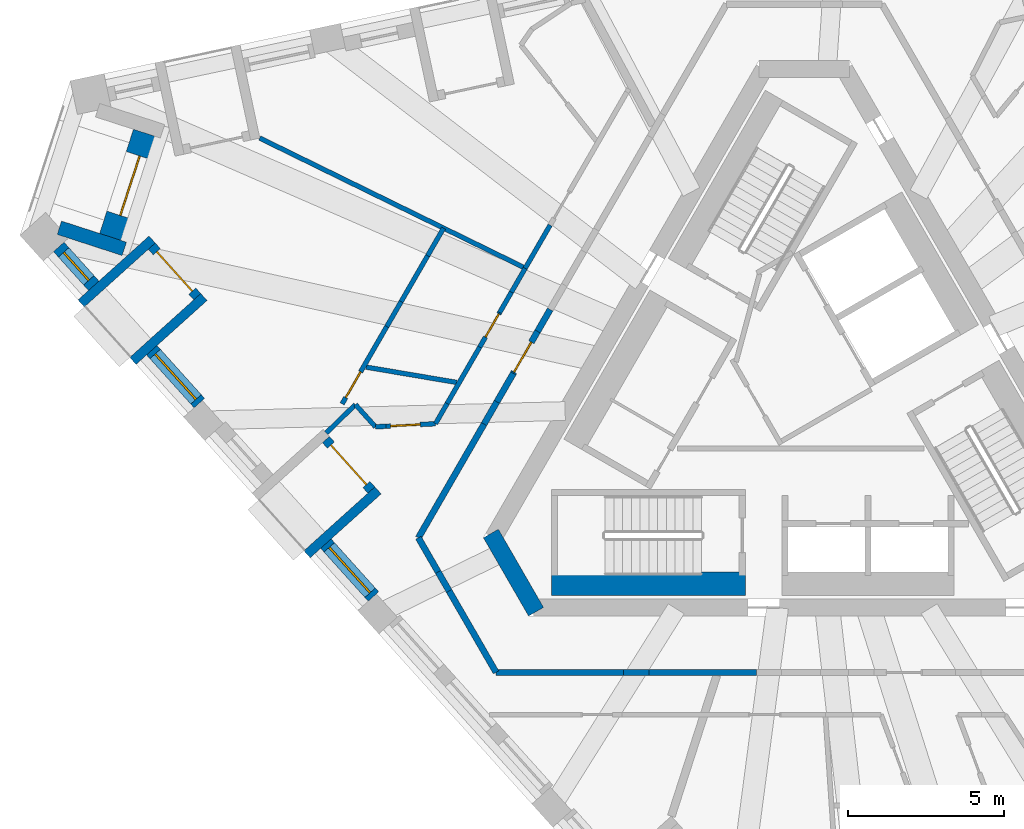
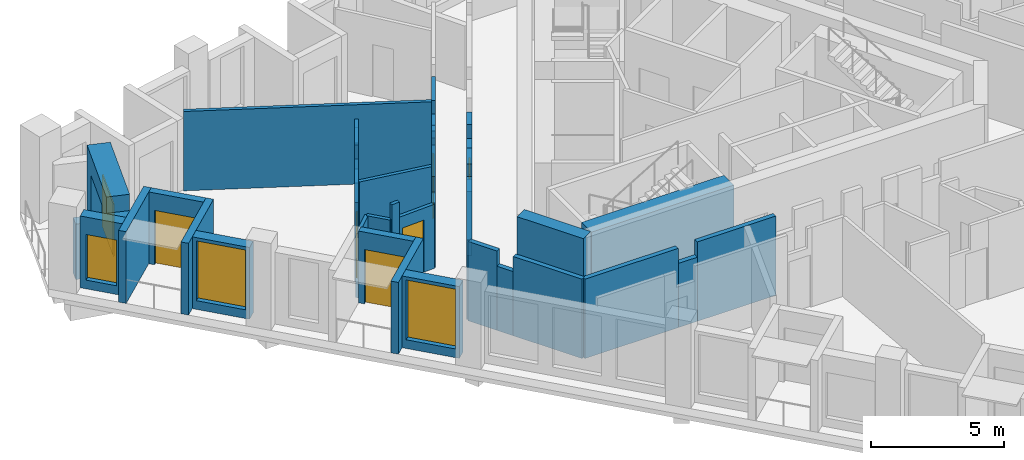
# One storey, part 3 of 12: 39 walls, 7 doors, 3 windows, 10 openings.
"""IFC4 building model written with IfcOpenShell, lengths in metres."""

from ifc_helpers import new_model, si_unit, direction, frame, frame_2d, origin, place, context, subcontext, project, spatial, polyline, rectangle, outline, extrude, material, layer, layer_set, type_object, element, fill, save


model = new_model("IFC4")

# Units and contexts
model_context = context("Model", 3, precision=1e-05, world=origin(), true_north=direction((0.0, 1.0)))
body_context = subcontext(model_context, "Body", "Model", "MODEL_VIEW")
ifc_project = project(units=[si_unit("LENGTHUNIT", "METRE"), si_unit("AREAUNIT", "SQUARE_METRE"), si_unit("VOLUMEUNIT", "CUBIC_METRE"), si_unit("PLANEANGLEUNIT", "RADIAN"), si_unit("MASSUNIT", "GRAM", prefix="KILO")], contexts=[model_context])

# Site, building, storey
site_placement = place(None, origin())
site = spatial("IfcSite", under=ifc_project, at=site_placement, CompositionType="ELEMENT")
building_placement = place(site_placement, origin())
building = spatial("IfcBuilding", under=site, at=building_placement, Name="Tramontana Tower", CompositionType="ELEMENT")
storey_placement = place(building_placement, frame((0.0, 0.0, 332.39990234375)))
storey = spatial("IfcBuildingStorey", under=building, at=storey_placement, Name="L76", CompositionType="ELEMENT", Elevation=332.39990234375)

# Walls
ifc_material_1 = material(Name="Concrete 70 MPa", Category="concrete")
ifc_layer_1 = layer(ifc_material_1, 0.550048828125)
ifc_layer_set_1 = layer_set([ifc_layer_1], Name="Core wall 550 70 MPa")
wall_type_1 = type_object("IfcWallType", Name="Core wall 550 70 MPa", PredefinedType="SHEAR", material=ifc_layer_set_1)
wall_1_placement = place(storey_placement, frame((-10.009765625, -4.112548828125, 0.0), z_axis=(0.0, 0.0, 1.0), x_axis=(0.499995765644, -0.866027848477, 0.0)))
element("IfcWall", 1, at=wall_1_placement, inside=storey, type_object=wall_type_1, Name="Core wall C2 L76", PredefinedType="SHEAR", context=body_context, shape_type="SweptSolid", body=[
    extrude(rectangle(XDim=2.88671875, YDim=0.550048828125, at=frame_2d((1.443359375, 0.0))), origin(), (0.0, 0.0, 1.0), 4.0),
])
ifc_material_2 = material(Name="Blockwork", Category="masonry")
ifc_layer_2 = layer(ifc_material_2, 0.199951171875)
ifc_layer_set_2 = layer_set([ifc_layer_2], Name="ENTRY WALL 200")
wall_type_2 = type_object("IfcWallType", Name="ENTRY WALL 200", PredefinedType="SOLIDWALL", material=ifc_layer_set_2)
wall_2_placement = place(storey_placement, frame((-1.528564453125, -8.550048828125, 0.0), z_axis=(0.0, 0.0, 1.0), x_axis=(-1.0, 0.0, 0.0)))
element("IfcWall", 2, at=wall_2_placement, inside=storey, type_object=wall_type_2, Name="Wall v81-ew1-8", PredefinedType="SOLIDWALL", context=body_context, shape_type="SweptSolid", body=[
    extrude(rectangle(XDim=3.423095703125, YDim=0.199951171875, at=frame_2d((1.71142578125, 0.0))), origin(), (0.0, 0.0, 1.0), 3.650146484375),
])
wall_3_placement = place(storey_placement, frame((-4.95166015625, -8.550048828125, 0.0), z_axis=(0.0, 0.0, 1.0), x_axis=(-1.0, 0.0, 0.0)))
element("IfcWall", 3, at=wall_3_placement, inside=storey, type_object=wall_type_2, Name="Wall v81-ew1-9", PredefinedType="SOLIDWALL", context=body_context, shape_type="SweptSolid", body=[
    extrude(rectangle(XDim=0.826416015625, YDim=0.199951171875, at=frame_2d((0.4130859375, 0.0))), origin(), (0.0, 0.0, 1.0), 2.9501953125),
])
wall_4_placement = place(storey_placement, frame((-5.778076171875, -8.550048828125, 0.0), z_axis=(0.0, 0.0, 1.0), x_axis=(-1.0, 0.0, 0.0)))
element("IfcWall", 4, at=wall_4_placement, inside=storey, type_object=wall_type_2, Name="Wall v81-ew1-10", PredefinedType="SOLIDWALL", context=body_context, shape_type="SweptSolid", body=[
    extrude(rectangle(XDim=4.065673828125, YDim=0.199951171875, at=frame_2d((2.03271484375, 0.0))), origin(), (0.0, 0.0, 1.0), 3.650146484375),
])
wall_5_placement = place(storey_placement, frame((-9.84375, -8.550048828125, 0.0), z_axis=(0.0, 0.0, 1.0), x_axis=(-0.500003959331, 0.866023117852, 0.0)))
element("IfcWall", 5, at=wall_5_placement, inside=storey, type_object=wall_type_2, Name="Wall v81-ew2-0", PredefinedType="SOLIDWALL", context=body_context, shape_type="SweptSolid", body=[
    extrude(rectangle(XDim=3.0029296875, YDim=0.199951171875, at=frame_2d((1.50146484375, 0.0))), origin(), (0.0, 0.0, 1.0), 3.650146484375),
])
wall_6_placement = place(storey_placement, frame((-11.34521484375, -5.949462890625, 0.0), z_axis=(0.0, 0.0, 1.0), x_axis=(-0.499993523031, 0.866029143232, 0.0)))
element("IfcWall", 6, at=wall_6_placement, inside=storey, type_object=wall_type_2, Name="Wall v81-ew2-1", PredefinedType="SOLIDWALL", context=body_context, shape_type="SweptSolid", body=[
    extrude(rectangle(XDim=0.70166015625, YDim=0.199951171875, at=frame_2d((0.350830078125, 0.0))), origin(), (0.0, 0.0, 1.0), 2.9501953125),
])
wall_7_placement = place(storey_placement, frame((-11.696044921875, -5.341796875, 0.0), z_axis=(0.0, 0.0, 1.0), x_axis=(-0.500013012896, 0.866017890655, 0.0)))
element("IfcWall", 7, at=wall_7_placement, inside=storey, type_object=wall_type_2, Name="Wall v81-ew2-2", PredefinedType="SOLIDWALL", context=body_context, shape_type="SweptSolid", body=[
    extrude(rectangle(XDim=1.2607421875, YDim=0.199951171875, at=frame_2d((0.63037109375, 0.0))), origin(), (0.0, 0.0, 1.0), 3.650146484375),
])
wall_8_placement = place(storey_placement, frame((-12.326416015625, -4.25, 0.0), z_axis=(0.0, 0.0, 1.0), x_axis=(0.499982771656, 0.866035350345, 0.0)))
element("IfcWall", 8, at=wall_8_placement, inside=storey, type_object=wall_type_2, Name="Wall v81-ew3-0", PredefinedType="SOLIDWALL", context=body_context, shape_type="SweptSolid", body=[
    extrude(rectangle(XDim=4.194580078125, YDim=0.199951171875, at=frame_2d((2.09716796875, 0.0))), origin(), (0.0, 0.0, 1.0), 3.650146484375),
])
wall_9_placement = place(storey_placement, frame((-10.229248046875, -0.617431640625, 0.0), z_axis=(0.0, 0.0, 1.0), x_axis=(0.5001686003, 0.865928040471, 0.0)))
element("IfcWall", 9, at=wall_9_placement, inside=storey, type_object=wall_type_2, Name="Wall v81-ew3-1", PredefinedType="SOLIDWALL", context=body_context, shape_type="SweptSolid", body=[
    extrude(rectangle(XDim=0.821044921875, YDim=0.199951171875, at=frame_2d((0.41064453125, 0.0))), origin(), (0.0, 0.0, 1.0), 2.9501953125),
])
wall_10_placement = place(storey_placement, frame((-9.818603515625, 0.093505859375, 0.0), z_axis=(0.0, 0.0, 1.0), x_axis=(0.499890179513, 0.866088799389, 0.0)))
element("IfcWall", 10, at=wall_10_placement, inside=storey, type_object=wall_type_2, Name="Wall v81-ew3-2", PredefinedType="SOLIDWALL", context=body_context, shape_type="SweptSolid", body=[
    extrude(rectangle(XDim=1.050048828125, YDim=0.199951171875, at=frame_2d((0.52490234375, 0.0))), origin(), (0.0, 0.0, 1.0), 3.650146484375),
])

# Wall, opening, door
wall_11_placement = place(storey_placement, frame((-9.293701171875, 1.0029296875, 0.0), z_axis=(0.0, 0.0, 1.0), x_axis=(0.500054401891, 0.86599399256, 0.0)))
wall_11 = element("IfcWall", 11, at=wall_11_placement, inside=storey, type_object=wall_type_2, Name="Wall v81-ew3-3", PredefinedType="SOLIDWALL", context=body_context, shape_type="SweptSolid", body=[
    extrude(outline(polyline([(0.0, 0.0), (1.549072265625, 0.0), (1.549072265625, 2.550048828125), (0.605224609375, 2.550048828125), (0.605224609375, 3.650146484375), (0.0, 3.650146484375), (0.0, 0.0)])), frame((0.0, 0.10009765625, 0.0), z_axis=(0.0, -1.0, 0.0), x_axis=(1.0, 0.0, 0.0)), (0.0, 0.0, 1.0), 0.199951171875),
])
opening_1_placement = place(wall_11_placement, frame((0.050048828125, 0.0, 0.0)))
opening_1 = element("IfcOpeningElement", 12, at=opening_1_placement, cuts=wall_11, Name="Opening B8B-16", PredefinedType="OPENING", context=body_context, shape_type="SweptSolid", body=[
    extrude(rectangle(XDim=1.10009765625, YDim=2.39990234375, at=frame_2d((0.550048828125, 1.199951171875))), frame((0.0, 0.10986328125, 0.0), z_axis=(0.0, -1.0, 0.0), x_axis=(1.0, 0.0, 0.0)), (0.0, 0.0, 1.0), 0.219970703125),
])
ifc_material_3 = material(Name="Painted timber", Category="wood")
door_type_1 = type_object("IfcDoorType", Name="DOOR ENTRY 1100", OperationType="SINGLE_SWING_LEFT", PredefinedType="DOOR", material=ifc_material_3)
door_1_placement = place(opening_1_placement, origin())
door_1 = element("IfcDoor", 13, at=door_1_placement, inside=storey, type_object=door_type_1, Name="Door B8B-16", OperationType="SINGLE_SWING_RIGHT", OverallHeight=2.39990234375, OverallWidth=1.10009765625, PredefinedType="DOOR", context=body_context, shape_type="SweptSolid", body=[
    extrude(rectangle(XDim=1.10009765625, YDim=2.39990234375, at=frame_2d((0.550048828125, 1.199951171875))), frame((0.0, 0.02490234375, 0.0), z_axis=(0.0, -1.0, 0.0), x_axis=(1.0, 0.0, 0.0)), (0.0, 0.0, 1.0), 0.050048828125),
])
fill(opening_1, door_1)

# Wall
wall_12_placement = place(storey_placement, frame((-8.51904296875, 2.344482421875, 0.0), z_axis=(0.0, 0.0, 1.0), x_axis=(0.499914554297, 0.866074730264, 0.0)))
element("IfcWall", 14, at=wall_12_placement, inside=storey, type_object=wall_type_2, Name="Wall v81-ew3-4", PredefinedType="SOLIDWALL", context=body_context, shape_type="SweptSolid", body=[
    extrude(rectangle(XDim=0.806884765625, YDim=0.199951171875, at=frame_2d((0.4033203125, 0.0))), origin(), (0.0, 0.0, 1.0), 3.650146484375),
])

# Wall, opening, window
ifc_material_4 = material(Name="Precast concrete 60 MPa", Category="concrete")
ifc_layer_3 = layer(ifc_material_4, 0.449951171875)
ifc_layer_set_3 = layer_set([ifc_layer_3], Name="Precast concrete 60 MPa, 450 mm")
wall_type_3 = type_object("IfcWallType", Name="EW1 Stone-faced precast wall 450", PredefinedType="SOLIDWALL", material=ifc_layer_set_3)
wall_13_placement = place(storey_placement, frame((-23.817138671875, 5.043212890625, 0.0), z_axis=(0.0, 0.0, 1.0), x_axis=(0.669182609054, -0.743097998746, 0.0)))
wall_13 = element("IfcWall", 15, at=wall_13_placement, inside=storey, type_object=wall_type_3, Name="External wall L76 face 0 bay 1", PredefinedType="SOLIDWALL", context=body_context, shape_type="SweptSolid", body=[
    extrude(rectangle(XDim=1.67138671875, YDim=0.449951171875, at=frame_2d((0.835693359375, 0.0))), origin(), (0.0, 0.0, 1.0), 3.300048828125),
])
opening_2_placement = place(wall_13_placement, frame((0.235595703125, 0.0, 0.39990234375)))
opening_2 = element("IfcOpeningElement", 16, at=opening_2_placement, cuts=wall_13, Name="Opening N3L", PredefinedType="OPENING", context=body_context, shape_type="SweptSolid", body=[
    extrude(rectangle(XDim=1.199951171875, YDim=2.10009765625, at=frame_2d((0.60009765625, 1.050048828125))), frame((0.0, 0.23486328125, 0.0), z_axis=(0.0, -1.0, 0.0), x_axis=(1.0, 0.0, 0.0)), (0.0, 0.0, 1.0), 0.469970703125),
])
ifc_material_5 = material(Name="Aluminum frame, double glazing unit", Category="aluminium")
window_type_1 = type_object("IfcWindowType", Name="N3L Window 1.2 x 2.1", PartitioningType="SINGLE_PANEL", PredefinedType="WINDOW", material=ifc_material_5)
window_1_placement = place(opening_2_placement, origin())
window_1 = element("IfcWindow", 17, at=window_1_placement, inside=storey, type_object=window_type_1, Name="Window N3L L76 face 0 module 1", OverallHeight=2.10009765625, OverallWidth=1.199951171875, PartitioningType="SINGLE_PANEL", PredefinedType="WINDOW", context=body_context, shape_type="SweptSolid", body=[
    extrude(rectangle(XDim=1.199951171875, YDim=2.10009765625, at=frame_2d((0.60009765625, 1.050048828125))), frame((0.0, 0.030029296875, 0.0), z_axis=(0.0, -1.0, 0.0), x_axis=(1.0, 0.0, 0.0)), (0.0, 0.0, 1.0), 0.06005859375),
])
fill(opening_2, window_1)

wall_14_placement = place(storey_placement, frame((-20.844482421875, 1.74169921875, 0.0), z_axis=(0.0, 0.0, 1.0), x_axis=(0.669160694992, -0.743117732447, 0.0)))
wall_14 = element("IfcWall", 18, at=wall_14_placement, inside=storey, type_object=wall_type_3, Name="External wall L76 face 0 bay 1", PredefinedType="SOLIDWALL", context=body_context, shape_type="SweptSolid", body=[
    extrude(rectangle(XDim=2.271240234375, YDim=0.449951171875, at=frame_2d((1.1357421875, 0.0))), origin(), (0.0, 0.0, 1.0), 3.300048828125),
])
opening_3_placement = place(wall_14_placement, frame((0.16064453125, 0.0, 0.39990234375)))
opening_3 = element("IfcOpeningElement", 19, at=opening_3_placement, cuts=wall_14, Name="Opening M3", PredefinedType="OPENING", context=body_context, shape_type="SweptSolid", body=[
    extrude(rectangle(XDim=1.949951171875, YDim=2.75, at=frame_2d((0.97509765625, 1.375))), frame((0.0, 0.23486328125, 0.0), z_axis=(0.0, -1.0, 0.0), x_axis=(1.0, 0.0, 0.0)), (0.0, 0.0, 1.0), 0.469970703125),
])
ifc_material_6 = material(Name="Aluminum frame, double glazing unit", Category="aluminium")
window_type_2 = type_object("IfcWindowType", Name="M3 Window 1.95 x 2.75", PartitioningType="SINGLE_PANEL", PredefinedType="WINDOW", material=ifc_material_6)
window_2_placement = place(opening_3_placement, origin())
window_2 = element("IfcWindow", 20, at=window_2_placement, inside=storey, type_object=window_type_2, Name="Window M3 L76 face 0 module 3", OverallHeight=2.75, OverallWidth=1.949951171875, PartitioningType="SINGLE_PANEL", PredefinedType="WINDOW", context=body_context, shape_type="SweptSolid", body=[
    extrude(rectangle(XDim=1.949951171875, YDim=2.75, at=frame_2d((0.97509765625, 1.375))), frame((0.0, 0.030029296875, 0.0), z_axis=(0.0, -1.0, 0.0), x_axis=(1.0, 0.0, 0.0)), (0.0, 0.0, 1.0), 0.06005859375),
])
fill(opening_3, window_2)

wall_15_placement = place(storey_placement, frame((-15.281494140625, -4.4365234375, 0.0), z_axis=(0.0, 0.0, 1.0), x_axis=(0.669107243666, -0.743165860676, 0.0)))
wall_15 = element("IfcWall", 21, at=wall_15_placement, inside=storey, type_object=wall_type_3, Name="External wall L76 face 0 bay 2", PredefinedType="SOLIDWALL", context=body_context, shape_type="SweptSolid", body=[
    extrude(rectangle(XDim=2.271240234375, YDim=0.449951171875, at=frame_2d((1.1357421875, 0.0))), origin(), (0.0, 0.0, 1.0), 3.300048828125),
])
opening_4_placement = place(wall_15_placement, frame((0.16064453125, 0.0, 0.39990234375)))
opening_4 = element("IfcOpeningElement", 22, at=opening_4_placement, cuts=wall_15, Name="Opening M3", PredefinedType="OPENING", context=body_context, shape_type="SweptSolid", body=[
    extrude(rectangle(XDim=1.949951171875, YDim=2.75, at=frame_2d((0.97509765625, 1.375))), frame((0.0, 0.23486328125, 0.0), z_axis=(0.0, -1.0, 0.0), x_axis=(1.0, 0.0, 0.0)), (0.0, 0.0, 1.0), 0.469970703125),
])
window_3_placement = place(opening_4_placement, origin())
window_3 = element("IfcWindow", 23, at=window_3_placement, inside=storey, type_object=window_type_2, Name="Window M3 L76 face 0 module 6", OverallHeight=2.75, OverallWidth=1.949951171875, PartitioningType="SINGLE_PANEL", PredefinedType="WINDOW", context=body_context, shape_type="SweptSolid", body=[
    extrude(rectangle(XDim=1.949951171875, YDim=2.75, at=frame_2d((0.97509765625, 1.375))), frame((0.0, 0.030029296875, 0.0), z_axis=(0.0, -1.0, 0.0), x_axis=(1.0, 0.0, 0.0)), (0.0, 0.0, 1.0), 0.06005859375),
])
fill(opening_4, window_3)

# Wall
wall_16_placement = place(storey_placement, frame((-23.79638671875, 5.6552734375, 0.0), z_axis=(0.0, 0.0, 1.0), x_axis=(0.951064526973, -0.308992338955, 0.0)))
element("IfcWall", 24, at=wall_16_placement, inside=storey, type_object=wall_type_3, Name="Corner loggia side wall L76 K80l", PredefinedType="SOLIDWALL", context=body_context, shape_type="SweptSolid", body=[
    extrude(rectangle(XDim=2.17919921875, YDim=0.449951171875, at=frame_2d((1.089599609375, 0.0))), origin(), (0.0, 0.0, 1.0), 2.550048828125),
])

# Wall, opening, door
ifc_material_7 = material(Name="Precast concrete 60 MPa", Category="concrete")
ifc_layer_4 = layer(ifc_material_7, 0.89990234375)
ifc_layer_set_4 = layer_set([ifc_layer_4], Name="EW2 Stone-faced corner loggia wall 900")
wall_type_4 = type_object("IfcWallType", Name="EW2 Stone-faced corner loggia wall 900", PredefinedType="SOLIDWALL", material=ifc_layer_set_4)
wall_17_placement = place(storey_placement, frame((-22.082275390625, 5.3349609375, 0.0), z_axis=(0.0, 0.0, 1.0), x_axis=(0.309019824916, 0.951055596592, 0.0)))
wall_17 = element("IfcWall", 25, at=wall_17_placement, inside=storey, type_object=wall_type_4, Name="Corner loggia wall L76 K80", PredefinedType="SOLIDWALL", context=body_context, shape_type="SweptSolid", body=[
    extrude(rectangle(XDim=3.5, YDim=0.89990234375, at=frame_2d((1.75, 0.0))), origin(), (0.0, 0.0, 1.0), 3.300048828125),
])
opening_5_placement = place(wall_17_placement, frame((0.75, 0.0, 0.0)))
opening_5 = element("IfcOpeningElement", 26, at=opening_5_placement, cuts=wall_17, Name="Opening BD-80C", PredefinedType="OPENING", context=body_context, shape_type="SweptSolid", body=[
    extrude(rectangle(XDim=2.0, YDim=2.39990234375, at=frame_2d((1.0, 1.199951171875))), frame((0.0, 0.4599609375, 0.0), z_axis=(0.0, -1.0, 0.0), x_axis=(1.0, 0.0, 0.0)), (0.0, 0.0, 1.0), 0.919921875),
])
ifc_material_8 = material(Name="Aluminum frame, double glazing unit", Category="aluminium")
door_type_2 = type_object("IfcDoorType", Name="BC1 Sliding door 2 x 2.4", OperationType="SLIDING_TO_LEFT", PredefinedType="DOOR", material=ifc_material_8)
door_2_placement = place(opening_5_placement, origin())
door_2 = element("IfcDoor", 27, at=door_2_placement, inside=storey, type_object=door_type_2, Name="Corner loggia door L76 K80", OperationType="SLIDING_TO_LEFT", OverallHeight=2.39990234375, OverallWidth=2.0, PredefinedType="DOOR", context=body_context, shape_type="SweptSolid", body=[
    extrude(rectangle(XDim=2.0, YDim=2.39990234375, at=frame_2d((1.0, 1.199951171875))), frame((0.0, 0.02490234375, 0.0), z_axis=(0.0, -1.0, 0.0), x_axis=(1.0, 0.0, 0.0)), (0.0, 0.0, 1.0), 0.050048828125),
])
fill(opening_5, door_2)

ifc_material_9 = material(Name="Precast concrete 60 MPa", Category="concrete")
ifc_layer_5 = layer(ifc_material_9, 0.300048828125)
ifc_layer_set_5 = layer_set([ifc_layer_5], Name="LW1 Stone-faced loggia wall 300")
wall_type_5 = type_object("IfcWallType", Name="LW1 Stone-faced loggia wall 300", PredefinedType="SOLIDWALL", material=ifc_layer_set_5)
wall_18_placement = place(storey_placement, frame((-20.844482421875, 5.067138671875, 0.0), z_axis=(0.0, 0.0, 1.0), x_axis=(0.669144868344, -0.743131983681, 0.0)))
wall_18 = element("IfcWall", 28, at=wall_18_placement, inside=storey, type_object=wall_type_5, Name="Loggia wall L76 G8S0.1", PredefinedType="SOLIDWALL", context=body_context, shape_type="SweptSolid", body=[
    extrude(rectangle(XDim=2.171142578125, YDim=0.300048828125, at=frame_2d((1.08544921875, 0.0))), origin(), (0.0, 0.0, 1.0), 3.300048828125),
])
opening_6_placement = place(wall_18_placement, frame((0.235595703125, 0.0, 0.0)))
opening_6 = element("IfcOpeningElement", 29, at=opening_6_placement, cuts=wall_18, Name="Opening BD-8S0-01", PredefinedType="OPENING", context=body_context, shape_type="SweptSolid", body=[
    extrude(rectangle(XDim=1.699951171875, YDim=2.5, at=frame_2d((0.85009765625, 1.25))), frame((0.0, 0.159912109375, 0.0), z_axis=(0.0, -1.0, 0.0), x_axis=(1.0, 0.0, 0.0)), (0.0, 0.0, 1.0), 0.320068359375),
])
ifc_material_10 = material(Name="Aluminum frame, double glazing unit", Category="aluminium")
door_type_3 = type_object("IfcDoorType", Name="BD3 Sliding door 1.7 x 2.5", OperationType="SLIDING_TO_LEFT", PredefinedType="DOOR", material=ifc_material_10)
door_3_placement = place(opening_6_placement, origin())
door_3 = element("IfcDoor", 30, at=door_3_placement, inside=storey, type_object=door_type_3, Name="Loggia door L76 G8S0.1", OperationType="SLIDING_TO_LEFT", OverallHeight=2.5, OverallWidth=1.699951171875, PredefinedType="DOOR", context=body_context, shape_type="SweptSolid", body=[
    extrude(rectangle(XDim=1.699951171875, YDim=2.5, at=frame_2d((0.85009765625, 1.25))), frame((0.0, 0.02490234375, 0.0), z_axis=(0.0, -1.0, 0.0), x_axis=(1.0, 0.0, 0.0)), (0.0, 0.0, 1.0), 0.050048828125),
])
fill(opening_6, door_3)

# Walls
for number, where, z_axis, x_axis, name in (
    (31, (-23.10009765625, 3.238037109375, 0.0), (0.0, 0.0, 1.0), (0.743158802514, 0.669115082961, 0.0), "Loggia return L76 G8S0.1a"),
    (32, (-21.446533203125, 1.401611328125, 0.0), (0.0, 0.0, 1.0), (0.743158802514, 0.669115082961, 0.0), "Loggia return L76 G8S0.1b"),
):
    element("IfcWall", number, at=place(storey_placement, frame(where, z_axis=z_axis, x_axis=x_axis)), inside=storey, type_object=wall_type_5, Name=name, PredefinedType="SOLIDWALL", context=body_context, shape_type="SweptSolid", body=[
        extrude(rectangle(XDim=3.050048828125, YDim=0.300048828125, at=frame_2d((1.52490234375, 0.0))), origin(), (0.0, 0.0, 1.0), 3.300048828125),
    ])

# Wall, opening, door
wall_19_placement = place(storey_placement, frame((-15.281494140625, -1.111328125, 0.0), z_axis=(0.0, 0.0, 1.0), x_axis=(0.669144868344, -0.743131983681, 0.0)))
wall_19 = element("IfcWall", 33, at=wall_19_placement, inside=storey, type_object=wall_type_5, Name="Loggia wall L76 G8S0.4", PredefinedType="SOLIDWALL", context=body_context, shape_type="SweptSolid", body=[
    extrude(rectangle(XDim=2.171142578125, YDim=0.300048828125, at=frame_2d((1.08544921875, 0.0))), origin(), (0.0, 0.0, 1.0), 3.300048828125),
])
opening_7_placement = place(wall_19_placement, frame((0.235595703125, 0.0, 0.0)))
opening_7 = element("IfcOpeningElement", 34, at=opening_7_placement, cuts=wall_19, Name="Opening BD-8S0-04", PredefinedType="OPENING", context=body_context, shape_type="SweptSolid", body=[
    extrude(rectangle(XDim=1.699951171875, YDim=2.5, at=frame_2d((0.85009765625, 1.25))), frame((0.0, 0.159912109375, 0.0), z_axis=(0.0, -1.0, 0.0), x_axis=(1.0, 0.0, 0.0)), (0.0, 0.0, 1.0), 0.320068359375),
])
door_4_placement = place(opening_7_placement, origin())
door_4 = element("IfcDoor", 35, at=door_4_placement, inside=storey, type_object=door_type_3, Name="Loggia door L76 G8S0.4", OperationType="SLIDING_TO_LEFT", OverallHeight=2.5, OverallWidth=1.699951171875, PredefinedType="DOOR", context=body_context, shape_type="SweptSolid", body=[
    extrude(rectangle(XDim=1.699951171875, YDim=2.5, at=frame_2d((0.85009765625, 1.25))), frame((0.0, 0.02490234375, 0.0), z_axis=(0.0, -1.0, 0.0), x_axis=(1.0, 0.0, 0.0)), (0.0, 0.0, 1.0), 0.050048828125),
])
fill(opening_7, door_4)

# Walls
wall_20_placement = place(storey_placement, frame((-15.88330078125, -4.77685546875, 0.0), z_axis=(0.0, 0.0, 1.0), x_axis=(0.743122960955, 0.669154888573, 0.0)))
element("IfcWall", 36, at=wall_20_placement, inside=storey, type_object=wall_type_5, Name="Loggia return L76 G8S0.4b", PredefinedType="SOLIDWALL", context=body_context, shape_type="SweptSolid", body=[
    extrude(rectangle(XDim=3.0498046875, YDim=0.300048828125, at=frame_2d((1.52490234375, 0.0))), origin(), (0.0, 0.0, 1.0), 3.300048828125),
])
ifc_material_11 = material(Name="Gypsum board partition")
ifc_layer_6 = layer(ifc_material_11, 0.14990234375)
ifc_layer_set_6 = layer_set([ifc_layer_6], Name="PARTITION 150")
wall_type_6 = type_object("IfcWallType", Name="PARTITION 150", PredefinedType="PARTITIONING", material=ifc_layer_set_6)
wall_21_placement = place(storey_placement, frame((-17.3935546875, 8.519775390625, 0.0), z_axis=(0.0, 0.0, 1.0), x_axis=(0.898055565806, -0.439882030463, 0.0)))
element("IfcWall", 37, at=wall_21_placement, inside=storey, type_object=wall_type_6, Name="Wall v81-pw00", PredefinedType="PARTITIONING", context=body_context, shape_type="SweptSolid", body=[
    extrude(rectangle(XDim=9.36962890625, YDim=0.14990234375, at=frame_2d((4.684814453125, 0.0))), origin(), (0.0, 0.0, 1.0), 3.650146484375),
])
wall_22_placement = place(storey_placement, frame((-15.2705078125, -0.8994140625, 0.0), z_axis=(0.0, 0.0, 1.0), x_axis=(0.716890692313, 0.69718558166, 0.0)))
element("IfcWall", 38, at=wall_22_placement, inside=storey, type_object=wall_type_6, Name="Wall v81-pw02-0", PredefinedType="PARTITIONING", context=body_context, shape_type="SweptSolid", body=[
    extrude(rectangle(XDim=1.301025390625, YDim=0.14990234375, at=frame_2d((0.650390625, 0.0))), origin(), (0.0, 0.0, 1.0), 2.9501953125),
])

# Wall, opening, door
wall_23_placement = place(storey_placement, frame((-14.76318359375, 0.029541015625, 0.0), z_axis=(0.0, 0.0, 1.0), x_axis=(0.500003887042, 0.866023159588, 0.0)))
wall_23 = element("IfcWall", 39, at=wall_23_placement, inside=storey, type_object=wall_type_6, Name="Wall v81-pw03-0", PredefinedType="PARTITIONING", context=body_context, shape_type="SweptSolid", body=[
    extrude(rectangle(XDim=2.853515625, YDim=0.14990234375, at=frame_2d((1.4267578125, 0.0))), origin(), (0.0, 0.0, 1.0), 3.650146484375),
])
opening_8_placement = place(wall_23_placement, frame((0.231201171875, 0.0, 0.0)))
opening_8 = element("IfcOpeningElement", 40, at=opening_8_placement, cuts=wall_23, Name="Opening B8B-15", PredefinedType="OPENING", context=body_context, shape_type="SweptSolid", body=[
    extrude(rectangle(XDim=0.949951171875, YDim=2.39990234375, at=frame_2d((0.47509765625, 1.199951171875))), frame((0.0, 0.0849609375, 0.0), z_axis=(0.0, -1.0, 0.0), x_axis=(1.0, 0.0, 0.0)), (0.0, 0.0, 1.0), 0.169921875),
])
ifc_material_12 = material(Name="Painted timber", Category="wood")
door_type_4 = type_object("IfcDoorType", Name="DOOR ROOM 950", OperationType="SINGLE_SWING_LEFT", PredefinedType="DOOR", material=ifc_material_12)
door_5_placement = place(opening_8_placement, origin())
door_5 = element("IfcDoor", 41, at=door_5_placement, inside=storey, type_object=door_type_4, Name="Door B8B-15", OperationType="SINGLE_SWING_LEFT", OverallHeight=2.39990234375, OverallWidth=0.949951171875, PredefinedType="DOOR", context=body_context, shape_type="SweptSolid", body=[
    extrude(rectangle(XDim=0.949951171875, YDim=2.39990234375, at=frame_2d((0.47509765625, 1.199951171875))), frame((0.0, 0.02490234375, 0.0), z_axis=(0.0, -1.0, 0.0), x_axis=(1.0, 0.0, 0.0)), (0.0, 0.0, 1.0), 0.050048828125),
])
fill(opening_8, door_5)

# Walls
wall_24_placement = place(storey_placement, frame((-13.33642578125, 2.500732421875, 0.0), z_axis=(0.0, 0.0, 1.0), x_axis=(0.500144624036, 0.865941888956, 0.0)))
element("IfcWall", 42, at=wall_24_placement, inside=storey, type_object=wall_type_6, Name="Wall v81-pw03-1", PredefinedType="PARTITIONING", context=body_context, shape_type="SweptSolid", body=[
    extrude(rectangle(XDim=0.917724609375, YDim=0.14990234375, at=frame_2d((0.458984375, 0.0))), origin(), (0.0, 0.0, 1.0), 2.550048828125),
])
wall_25_placement = place(storey_placement, frame((-12.87744140625, 3.29541015625, 0.0), z_axis=(0.0, 0.0, 1.0), x_axis=(0.499876388284, 0.86609675928, 0.0)))
element("IfcWall", 43, at=wall_25_placement, inside=storey, type_object=wall_type_6, Name="Wall v81-pw03-2", PredefinedType="PARTITIONING", context=body_context, shape_type="SweptSolid", body=[
    extrude(rectangle(XDim=1.693359375, YDim=0.14990234375, at=frame_2d((0.8466796875, 0.0))), origin(), (0.0, 0.0, 1.0), 3.650146484375),
])
wall_26_placement = place(storey_placement, frame((-12.031005859375, 4.761962890625, 0.0), z_axis=(0.0, 0.0, 1.0), x_axis=(0.500173430036, 0.86592525075, 0.0)))
element("IfcWall", 44, at=wall_26_placement, inside=storey, type_object=wall_type_6, Name="Wall v81-pw03-3", PredefinedType="PARTITIONING", context=body_context, shape_type="SweptSolid", body=[
    extrude(rectangle(XDim=1.015380859375, YDim=0.14990234375, at=frame_2d((0.5078125, 0.0))), origin(), (0.0, 0.0, 1.0), 2.550048828125),
])
wall_27_placement = place(storey_placement, frame((-14.337646484375, 0.007568359375, 0.0), z_axis=(0.0, 0.0, 1.0), x_axis=(0.669063599941, -0.743205152858, 0.0)))
element("IfcWall", 45, at=wall_27_placement, inside=storey, type_object=wall_type_6, Name="Wall v81-pw04-0", PredefinedType="PARTITIONING", context=body_context, shape_type="SweptSolid", body=[
    extrude(rectangle(XDim=0.954833984375, YDim=0.14990234375, at=frame_2d((0.4775390625, 0.0))), origin(), (0.0, 0.0, 1.0), 2.9501953125),
])
wall_28_placement = place(storey_placement, frame((-13.99853515625, 1.20361328125, 0.0), z_axis=(0.0, 0.0, 1.0), x_axis=(0.985967823365, -0.166935470431, 0.0)))
element("IfcWall", 46, at=wall_28_placement, inside=storey, type_object=wall_type_6, Name="Wall v81-pw05", PredefinedType="PARTITIONING", context=body_context, shape_type="SweptSolid", body=[
    extrude(rectangle(XDim=2.933837890625, YDim=0.14990234375, at=frame_2d((1.466796875, 0.0))), origin(), (0.0, 0.0, 1.0), 3.650146484375),
])
wall_29_placement = place(storey_placement, frame((-13.696533203125, -0.7041015625, 0.0), z_axis=(0.0, 0.0, 1.0), x_axis=(0.998699875795, 0.050976054049, 0.0)))
element("IfcWall", 47, at=wall_29_placement, inside=storey, type_object=wall_type_6, Name="Wall v81-pw06-0", PredefinedType="PARTITIONING", context=body_context, shape_type="SweptSolid", body=[
    extrude(rectangle(XDim=0.340087890625, YDim=0.14990234375, at=frame_2d((0.169921875, 0.0))), origin(), (0.0, 0.0, 1.0), 3.650146484375),
])

# Wall, opening, door
wall_30_placement = place(storey_placement, frame((-13.35693359375, -0.686767578125, 0.0), z_axis=(0.0, 0.0, 1.0), x_axis=(0.998690914006, 0.051151327273, 0.0)))
wall_30 = element("IfcWall", 48, at=wall_30_placement, inside=storey, type_object=wall_type_6, Name="Wall v81-pw06-1", PredefinedType="PARTITIONING", context=body_context, shape_type="SweptSolid", body=[
    extrude(rectangle(XDim=1.574951171875, YDim=0.14990234375, at=frame_2d((0.78759765625, 0.0))), origin(), (0.0, 0.0, 1.0), 2.9501953125),
])
opening_9_placement = place(wall_30_placement, frame((0.142578125, 0.0, 0.0)))
opening_9 = element("IfcOpeningElement", 49, at=opening_9_placement, cuts=wall_30, Name="Opening B8B-01", PredefinedType="OPENING", context=body_context, shape_type="SweptSolid", body=[
    extrude(rectangle(XDim=0.949951171875, YDim=2.39990234375, at=frame_2d((0.47509765625, 1.199951171875))), frame((0.0, 0.0849609375, 0.0), z_axis=(0.0, -1.0, 0.0), x_axis=(1.0, 0.0, 0.0)), (0.0, 0.0, 1.0), 0.169921875),
])
door_6_placement = place(opening_9_placement, origin())
door_6 = element("IfcDoor", 50, at=door_6_placement, inside=storey, type_object=door_type_4, Name="Door B8B-01", OperationType="SINGLE_SWING_LEFT", OverallHeight=2.39990234375, OverallWidth=0.949951171875, PredefinedType="DOOR", context=body_context, shape_type="SweptSolid", body=[
    extrude(rectangle(XDim=0.949951171875, YDim=2.39990234375, at=frame_2d((0.47509765625, 1.199951171875))), frame((0.0, 0.02490234375, 0.0), z_axis=(0.0, -1.0, 0.0), x_axis=(1.0, 0.0, 0.0)), (0.0, 0.0, 1.0), 0.050048828125),
])
fill(opening_9, door_6)

# Walls
wall_31_placement = place(storey_placement, frame((-11.7802734375, -0.60400390625, 0.0), z_axis=(0.0, 0.0, 1.0), x_axis=(0.500168092579, 0.865928333736, 0.0)))
element("IfcWall", 51, at=wall_31_placement, inside=storey, type_object=wall_type_6, Name="Wall v81-pw07-0", PredefinedType="PARTITIONING", context=body_context, shape_type="SweptSolid", body=[
    extrude(rectangle(XDim=0.742919921875, YDim=0.14990234375, at=frame_2d((0.37158203125, 0.0))), origin(), (0.0, 0.0, 1.0), 2.9501953125),
])
wall_32_placement = place(storey_placement, frame((-11.40869140625, 0.039306640625, 0.0), z_axis=(0.0, 0.0, 1.0), x_axis=(0.499969202016, 0.866043184279, 0.0)))
element("IfcWall", 52, at=wall_32_placement, inside=storey, type_object=wall_type_6, Name="Wall v81-pw07-1", PredefinedType="PARTITIONING", context=body_context, shape_type="SweptSolid", body=[
    extrude(rectangle(XDim=2.084228515625, YDim=0.14990234375, at=frame_2d((1.0419921875, 0.0))), origin(), (0.0, 0.0, 1.0), 3.650146484375),
])

# Wall, opening, door
wall_33_placement = place(storey_placement, frame((-10.36669921875, 1.84423828125, 0.0), z_axis=(0.0, 0.0, 1.0), x_axis=(0.499960764604, 0.866048055166, 0.0)))
wall_33 = element("IfcWall", 53, at=wall_33_placement, inside=storey, type_object=wall_type_6, Name="Wall v81-pw07-2", PredefinedType="PARTITIONING", context=body_context, shape_type="SweptSolid", body=[
    extrude(outline(polyline([(0.0, 0.0), (1.27099609375, 0.0), (1.271240234375, 3.650146484375), (0.917724609375, 3.650146484375), (0.917724609375, 2.550048828125), (0.0, 2.550048828125), (0.0, 0.0)])), frame((0.0, 0.074951171875, 0.0), z_axis=(0.0, -1.0, 0.0), x_axis=(1.0, 0.0, 0.0)), (0.0, 0.0, 1.0), 0.14990234375),
])
opening_10_placement = place(wall_33_placement, frame((0.37109375, 0.0, 0.0)))
opening_10 = element("IfcOpeningElement", 54, at=opening_10_placement, cuts=wall_33, Name="Opening B8B-02", PredefinedType="OPENING", context=body_context, shape_type="SweptSolid", body=[
    extrude(rectangle(XDim=0.85009765625, YDim=2.39990234375, at=frame_2d((0.425048828125, 1.199951171875))), frame((0.0, 0.0849609375, 0.0), z_axis=(0.0, -1.0, 0.0), x_axis=(1.0, 0.0, 0.0)), (0.0, 0.0, 1.0), 0.169921875),
])
ifc_material_13 = material(Name="Painted timber", Category="wood")
door_type_5 = type_object("IfcDoorType", Name="DOOR BATH 850", OperationType="SINGLE_SWING_LEFT", PredefinedType="DOOR", material=ifc_material_13)
door_7_placement = place(opening_10_placement, origin())
door_7 = element("IfcDoor", 55, at=door_7_placement, inside=storey, type_object=door_type_5, Name="Door B8B-02", OperationType="SINGLE_SWING_RIGHT", OverallHeight=2.39990234375, OverallWidth=0.85009765625, PredefinedType="DOOR", context=body_context, shape_type="SweptSolid", body=[
    extrude(rectangle(XDim=0.85009765625, YDim=2.39990234375, at=frame_2d((0.425048828125, 1.199951171875))), frame((0.0, 0.02490234375, 0.0), z_axis=(0.0, -1.0, 0.0), x_axis=(1.0, 0.0, 0.0)), (0.0, 0.0, 1.0), 0.050048828125),
])
fill(opening_10, door_7)

# Walls
wall_34_placement = place(storey_placement, frame((-9.731201171875, 2.945068359375, 0.0), z_axis=(0.0, 0.0, 1.0), x_axis=(0.500012686397, 0.866018079166, 0.0)))
element("IfcWall", 56, at=wall_34_placement, inside=storey, type_object=wall_type_6, Name="Wall v81-pw07-3", PredefinedType="PARTITIONING", context=body_context, shape_type="SweptSolid", body=[
    extrude(rectangle(XDim=0.75244140625, YDim=0.14990234375, at=frame_2d((0.376220703125, 0.0))), origin(), (0.0, 0.0, 1.0), 3.650146484375),
])
wall_35_placement = place(storey_placement, frame((-9.35498046875, 3.5966796875, 0.0), z_axis=(0.0, 0.0, 1.0), x_axis=(0.499986503906, 0.866033195618, 0.0)))
element("IfcWall", 57, at=wall_35_placement, inside=storey, type_object=wall_type_6, Name="Wall v81-pw07-4", PredefinedType="PARTITIONING", context=body_context, shape_type="SweptSolid", body=[
    extrude(rectangle(XDim=0.88037109375, YDim=0.14990234375, at=frame_2d((0.440185546875, 0.0))), origin(), (0.0, 0.0, 1.0), 2.550048828125),
])
wall_36_placement = place(storey_placement, frame((-8.914794921875, 4.359130859375, 0.0), z_axis=(0.0, 0.0, 1.0), x_axis=(0.500009674092, 0.866019818373, 0.0)))
element("IfcWall", 58, at=wall_36_placement, inside=storey, type_object=wall_type_6, Name="Wall v81-pw07-5", PredefinedType="PARTITIONING", context=body_context, shape_type="SweptSolid", body=[
    extrude(rectangle(XDim=1.59423828125, YDim=0.14990234375, at=frame_2d((0.797119140625, 0.0))), origin(), (0.0, 0.0, 1.0), 3.650146484375),
])
ifc_material_14 = material(Name="Concrete 70 MPa", Category="concrete")
ifc_layer_7 = layer(ifc_material_14, 0.75)
ifc_layer_set_7 = layer_set([ifc_layer_7], Name="Concrete 70 MPa, 750 mm")
wall_type_7 = type_object("IfcWallType", Name="RC SHAFT BACK WALL 750", PredefinedType="SOLIDWALL", material=ifc_layer_set_7)
wall_37_placement = place(storey_placement, frame((-8.080078125, -5.72509765625, 0.0), z_axis=(0.0, 0.0, 1.0), x_axis=(1.0, 0.0, 0.0)))
element("IfcWall", 59, at=wall_37_placement, inside=storey, type_object=wall_type_7, Name="Wall st2-back", PredefinedType="SOLIDWALL", context=body_context, shape_type="SweptSolid", body=[
    extrude(rectangle(XDim=6.2001953125, YDim=0.75, at=frame_2d((3.10009765625, 0.0))), origin(), (0.0, 0.0, 1.0), 3.650146484375),
])

save(model, "model.ifc")
